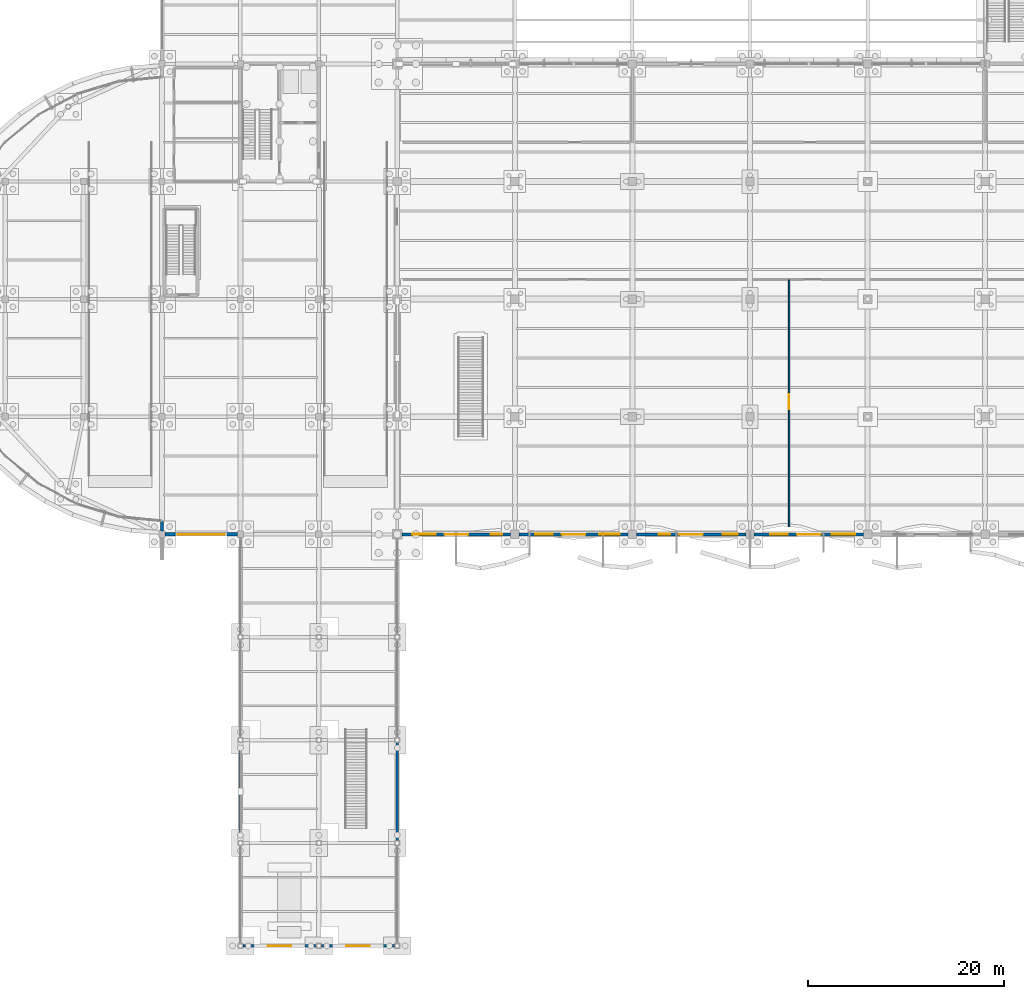
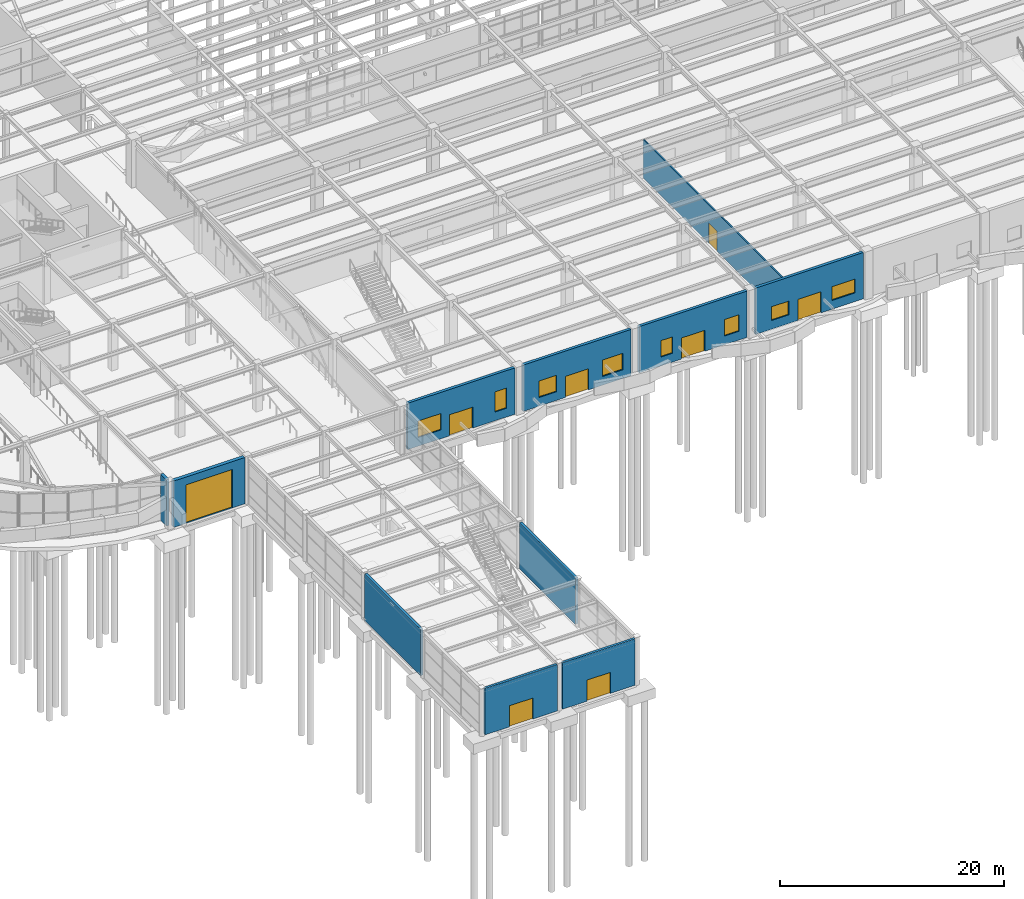
# One storey, part 62 of 85: 11 walls, 8 doors, 8 windows, 16 openings.
"""IFC4 building model written with IfcOpenShell, lengths in metres."""

import ifcopenshell
import ifcopenshell.guid

model = None  # the IFC model being written
_history = None  # IfcOwnerHistory: only IFC2X3 demands one
_inside = {}  # id of a spatial element -> (the spatial element, [elements in it])
_under = {}  # id of a project, library or spatial element -> (it, [spatial elements below it])
_declared = {}  # id of a project -> (the project, [libraries it declares])
_typed = {}  # id of a type object -> (the type object, [elements of that type])
_made_of = {}  # id of a material, layer set ... -> (it, [elements and type objects made of it])


def new_model(schema):
    """Start an empty IFC model of exactly this schema.

    Asked for "IFC4X3", IfcOpenShell would pick the latest addendum, in which some entities
    have other attributes; the version numbers below select the first issue.
    IFC2X3 requires an IfcOwnerHistory on every rooted entity: one is made here for all.
    """
    global model, _history
    if schema == "IFC4X3":
        model = ifcopenshell.file(schema_version=(4, 3, 0, 0))
    else:
        model = ifcopenshell.file(schema=schema)
    _inside.clear()
    _under.clear()
    _declared.clear()
    _typed.clear()
    _made_of.clear()
    _history = None
    if model.schema == "IFC2X3":
        org = make("IfcOrganization", Name="unknown")
        user = make(
            "IfcPersonAndOrganization",
            ThePerson=make("IfcPerson", FamilyName="unknown"),
            TheOrganization=org,
        )
        app = make(
            "IfcApplication",
            ApplicationDeveloper=org,
            Version="unknown",
            ApplicationFullName="unknown",
            ApplicationIdentifier="unknown",
        )
        _history = make(
            "IfcOwnerHistory",
            OwningUser=user,
            OwningApplication=app,
            ChangeAction="ADDED",
            CreationDate=0,
        )
    return model


def make(cls, **values):
    """One entity of the class cls with the attributes given. An attribute that is None is left unset."""
    return model.create_entity(
        cls, **{name: value for name, value in values.items() if value is not None}
    )


def rooted(cls, **values):
    """An entity with a GlobalId (a new one), such as an element, a storey or a relation."""
    return make(cls, GlobalId=ifcopenshell.guid.new(), OwnerHistory=_history, **values)


def si_unit(unit_type, name, prefix=None):
    """IfcSIUnit, for example si_unit("LENGTHUNIT", "METRE", prefix="MILLI")."""
    return make("IfcSIUnit", UnitType=unit_type, Prefix=prefix, Name=name)


def assignment(units):
    """IfcUnitAssignment: the units of a project."""
    return None if units is None else make("IfcUnitAssignment", Units=units)


def point(xyz):
    """IfcCartesianPoint."""
    return None if xyz is None else make("IfcCartesianPoint", Coordinates=xyz)


def direction(xyz):
    """IfcDirection."""
    return None if xyz is None else make("IfcDirection", DirectionRatios=xyz)


def frame(location, z_axis=None, x_axis=None):
    """IfcAxis2Placement3D, a coordinate frame: its origin and axes. An axis left out is left unset."""
    return make(
        "IfcAxis2Placement3D",
        Location=point(location),
        Axis=direction(z_axis),
        RefDirection=direction(x_axis),
    )


def frame_2d(location, x_axis=None):
    """IfcAxis2Placement2D, a coordinate frame in the plane: its origin and x axis."""
    return make(
        "IfcAxis2Placement2D", Location=point(location), RefDirection=direction(x_axis)
    )


def origin():
    """The frame at (0, 0, 0) with its axes left unset."""
    return frame((0.0, 0.0, 0.0))


def place(relative_to, where):
    """IfcLocalPlacement: puts the frame where relative to a parent placement (None: the world)."""
    return make(
        "IfcLocalPlacement", PlacementRelTo=relative_to, RelativePlacement=where
    )


def context(
    kind, dimensions, precision=None, world=None, true_north=None, identifier=None
):
    """IfcGeometricRepresentationContext, for example the 3D "Model" context."""
    return make(
        "IfcGeometricRepresentationContext",
        ContextIdentifier=identifier,
        ContextType=kind,
        CoordinateSpaceDimension=dimensions,
        Precision=precision,
        WorldCoordinateSystem=world,
        TrueNorth=true_north,
    )


def subcontext(parent, identifier, kind, view, scale=None):
    """IfcGeometricRepresentationSubContext, for example "Body" below "Model"."""
    return make(
        "IfcGeometricRepresentationSubContext",
        ContextIdentifier=identifier,
        ContextType=kind,
        ParentContext=parent,
        TargetScale=scale,
        TargetView=view,
    )


def project(units=None, contexts=None):
    """IfcProject with its units and contexts."""
    return rooted(
        "IfcProject",
        Name="project",
        RepresentationContexts=contexts,
        UnitsInContext=assignment(units),
    )


def spatial(cls, under=None, at=None, **own):
    """A site, building, storey or space (cls), placed at a placement, below another one or the project."""
    s = rooted(cls, ObjectPlacement=at, **own)
    if under is not None:
        _under.setdefault(under.id(), (under, []))[1].append(s)
    return s


def profile(cls, at=None, kind="AREA", **sizes):
    """A parametric profile (cls). Its sizes go by their IFC names, for example OverallWidth=200.0."""
    return make(cls, ProfileType=kind, Position=at, **sizes)


def rectangle(**sizes):
    """IfcRectangleProfileDef."""
    return profile("IfcRectangleProfileDef", **sizes)


def extrude(swept, where, along, depth):
    """IfcExtrudedAreaSolid: the profile swept, set in the frame where, extruded along a direction by depth."""
    return make(
        "IfcExtrudedAreaSolid",
        SweptArea=swept,
        Position=where,
        ExtrudedDirection=direction(along),
        Depth=depth,
    )


def shape(context_of_items, identifier, shape_type, items):
    """IfcShapeRepresentation: the items that make up one representation, for example the "Body"."""
    return make(
        "IfcShapeRepresentation",
        ContextOfItems=context_of_items,
        RepresentationIdentifier=identifier,
        RepresentationType=shape_type,
        Items=items,
    )


def material(Name=None, Category=None):
    """IfcMaterial."""
    return make("IfcMaterial", Name=Name, Category=Category)


def layer(
    of_material, thickness, ventilated=None, Name=None, Category=None, Priority=None
):
    """IfcMaterialLayer: one layer of a wall or slab, of a material (None: an air gap)."""
    return make(
        "IfcMaterialLayer",
        Material=of_material,
        LayerThickness=thickness,
        IsVentilated=ventilated,
        Name=Name,
        Category=Category,
        Priority=Priority,
    )


def layer_set(layers, Name=None):
    """IfcMaterialLayerSet."""
    return make("IfcMaterialLayerSet", MaterialLayers=layers, LayerSetName=Name)


def made_of(thing, what):
    """Note that an element or type object is made of a material, layer set ...; save() writes the relation."""
    if what is not None:
        _made_of.setdefault(what.id(), (what, []))[1].append(thing)
    return thing


def type_object(cls, material=None, **own):
    """A type object (cls), such as IfcWallType, which elements share."""
    return made_of(rooted(cls, **own), material)


def element(
    cls,
    number,
    at=None,
    inside=None,
    cuts=None,
    type_object=None,
    material=None,
    context=None,
    identifier="Body",
    shape_type=None,
    held_by="IfcProductDefinitionShape",
    body=None,
    shapes=None,
    **own,
):
    """One element of the class cls, such as IfcWall. Its Tag is "e" and its number.

    at: its placement. inside: the storey or other place that contains it. cuts: it is an
    opening in that element (IfcRelVoidsElement). A single representation is given by context,
    identifier, shape_type and body (its items); several are given by shapes. held_by: the class
    of the entity that holds the representations. save() writes the other relations.
    """
    e = rooted(cls, Tag="e%d" % number, ObjectPlacement=at, **own)
    if body is not None:
        shapes = [shape(context, identifier, shape_type, body)]
    if shapes is not None:
        e.Representation = make(held_by, Representations=shapes)
    if inside is not None:
        _inside.setdefault(inside.id(), (inside, []))[1].append(e)
    if cuts is not None:
        rooted(
            "IfcRelVoidsElement", RelatingBuildingElement=cuts, RelatedOpeningElement=e
        )
    if type_object is not None:
        _typed.setdefault(type_object.id(), (type_object, []))[1].append(e)
    return made_of(e, material)


def fill(opening, filler):
    """IfcRelFillsElement: the door or window that sits in an opening."""
    return rooted(
        "IfcRelFillsElement",
        RelatingOpeningElement=opening,
        RelatedBuildingElement=filler,
    )


def aggregate(whole, parts):
    """IfcRelAggregates: a whole, such as a stair, and the parts it consists of."""
    return rooted("IfcRelAggregates", RelatingObject=whole, RelatedObjects=parts)


def save(model, path):
    """Write the relations noted so far, then the file.

    IfcRelAggregates (storeys below a building ...), IfcRelContainedInSpatialStructure (elements
    in a storey), IfcRelDefinesByType, IfcRelAssociatesMaterial and IfcRelDeclares: one each for
    every whole, place, type object, material and project.
    """
    for whole, parts in _under.values():
        aggregate(whole, parts)
    for where, things in _inside.values():
        rooted(
            "IfcRelContainedInSpatialStructure",
            RelatedElements=things,
            RelatingStructure=where,
        )
    for kind, things in _typed.values():
        rooted("IfcRelDefinesByType", RelatedObjects=things, RelatingType=kind)
    for what, things in _made_of.values():
        rooted("IfcRelAssociatesMaterial", RelatedObjects=things, RelatingMaterial=what)
    for by, libraries in _declared.values():
        rooted("IfcRelDeclares", RelatingContext=by, RelatedDefinitions=libraries)
    model.write(path)


model = new_model("IFC4")

# Units and contexts
model_context = context("Model", 3, precision=1e-05, world=origin(), true_north=direction((0.0, 1.0)))
body_context = subcontext(model_context, "Body", "Model", "MODEL_VIEW")
ifc_project = project(units=[si_unit("LENGTHUNIT", "METRE"), si_unit("AREAUNIT", "SQUARE_METRE"), si_unit("VOLUMEUNIT", "CUBIC_METRE"), si_unit("PLANEANGLEUNIT", "RADIAN"), si_unit("MASSUNIT", "GRAM", prefix="KILO")], contexts=[model_context])

# Site, building, storey
site_placement = place(None, origin())
site = spatial("IfcSite", under=ifc_project, at=site_placement, CompositionType="ELEMENT")
building_placement = place(site_placement, origin())
building = spatial("IfcBuilding", under=site, at=building_placement, Name="Keelwater Ferry Terminal", CompositionType="ELEMENT")
storey_placement = place(building_placement, origin())
storey = spatial("IfcBuildingStorey", under=building, at=storey_placement, Name="L00", CompositionType="ELEMENT", Elevation=0.0)

# Walls
ifc_material_1 = material(Name="Precast concrete C40/50", Category="concrete")
ifc_layer_1 = layer(ifc_material_1, 0.260009765625)
ifc_layer_set_1 = layer_set([ifc_layer_1], Name="Precast concrete C40/50")
wall_type_1 = type_object("IfcWallType", Name="EW-BR260 External Solid Wall 260", PredefinedType="SOLIDWALL", material=ifc_layer_set_1)
for number, where, z_axis, x_axis, name in (
    (1, (32.0, 10.75390625, 0.0), (0.0, 0.0, 1.0), (0.0, 1.0, 0.0), "External Wall WL-L00-0001"),
    (2, (48.0, 10.75390625, 0.0), (0.0, 0.0, 1.0), (0.0, 1.0, 0.0), "External Wall WL-L00-0003"),
):
    element("IfcWall", number, at=place(storey_placement, frame(where, z_axis=z_axis, x_axis=x_axis)), inside=storey, type_object=wall_type_1, Name=name, PredefinedType="SOLIDWALL", context=body_context, shape_type="SweptSolid", body=[
        extrude(rectangle(XDim=9.9921875, YDim=0.260009765625, at=frame_2d((4.99609375, 0.0))), origin(), (0.0, 0.0, 1.0), 5.06005859375),
    ])

# Wall, opening, door
wall_1_placement = place(storey_placement, frame((39.74609375, 0.0, 0.0), z_axis=(0.0, 0.0, 1.0), x_axis=(-1.0, 0.0, 0.0)))
wall_1 = element("IfcWall", 3, at=wall_1_placement, inside=storey, type_object=wall_type_1, Name="External Wall WL-L00-0009", PredefinedType="SOLIDWALL", context=body_context, shape_type="SweptSolid", body=[
    extrude(rectangle(XDim=7.4921875, YDim=0.260009765625, at=frame_2d((3.74609375, 0.0))), origin(), (0.0, 0.0, 1.0), 5.06005859375),
])
opening_1_placement = place(wall_1_placement, frame((2.5458984375, 0.0, 0.0)))
opening_1 = element("IfcOpeningElement", 4, at=opening_1_placement, cuts=wall_1, Name="Opening ED-01", PredefinedType="OPENING", context=body_context, shape_type="SweptSolid", body=[
    extrude(rectangle(XDim=2.39990234375, YDim=2.300048828125, at=frame_2d((1.199951171875, 1.14990234375))), frame((0.0, 0.139892578125, 0.0), z_axis=(0.0, -1.0, 0.0), x_axis=(1.0, 0.0, 0.0)), (0.0, 0.0, 1.0), 0.280029296875),
])
ifc_material_2 = material(Name="Anodised aluminium and laminated safety glass", Category="aluminium")
door_type_1 = type_object("IfcDoorType", Name="ED-T1 Pedestrian Door 2400x2300", OperationType="DOUBLE_DOOR_SINGLE_SWING", PredefinedType="DOOR", material=ifc_material_2)
door_1_placement = place(opening_1_placement, origin())
door_1 = element("IfcDoor", 5, at=door_1_placement, inside=storey, type_object=door_type_1, Name="Door ED-01", OperationType="DOUBLE_DOOR_SINGLE_SWING", OverallHeight=2.300048828125, OverallWidth=2.39990234375, PredefinedType="DOOR", context=body_context, shape_type="SweptSolid", body=[
    extrude(rectangle(XDim=2.39990234375, YDim=2.300048828125, at=frame_2d((1.199951171875, 1.14990234375))), frame((0.0, 0.02490234375, 0.0), z_axis=(0.0, -1.0, 0.0), x_axis=(1.0, 0.0, 0.0)), (0.0, 0.0, 1.0), 0.050048828125),
])
fill(opening_1, door_1)

wall_2_placement = place(storey_placement, frame((47.74609375, 0.0, 0.0), z_axis=(0.0, 0.0, 1.0), x_axis=(-1.0, 0.0, 0.0)))
wall_2 = element("IfcWall", 6, at=wall_2_placement, inside=storey, type_object=wall_type_1, Name="External Wall WL-L00-0011", PredefinedType="SOLIDWALL", context=body_context, shape_type="SweptSolid", body=[
    extrude(rectangle(XDim=7.4921875, YDim=0.260009765625, at=frame_2d((3.74609375, 0.0))), origin(), (0.0, 0.0, 1.0), 5.06005859375),
])
opening_2_placement = place(wall_2_placement, frame((2.5458984375, 0.0, 0.0)))
opening_2 = element("IfcOpeningElement", 7, at=opening_2_placement, cuts=wall_2, Name="Opening ED-02", PredefinedType="OPENING", context=body_context, shape_type="SweptSolid", body=[
    extrude(rectangle(XDim=2.39990234375, YDim=2.300048828125, at=frame_2d((1.199951171875, 1.14990234375))), frame((0.0, 0.139892578125, 0.0), z_axis=(0.0, -1.0, 0.0), x_axis=(1.0, 0.0, 0.0)), (0.0, 0.0, 1.0), 0.280029296875),
])
door_2_placement = place(opening_2_placement, origin())
door_2 = element("IfcDoor", 8, at=door_2_placement, inside=storey, type_object=door_type_1, Name="Door ED-02", OperationType="DOUBLE_DOOR_SINGLE_SWING", OverallHeight=2.300048828125, OverallWidth=2.39990234375, PredefinedType="DOOR", context=body_context, shape_type="SweptSolid", body=[
    extrude(rectangle(XDim=2.39990234375, YDim=2.300048828125, at=frame_2d((1.199951171875, 1.14990234375))), frame((0.0, 0.02490234375, 0.0), z_axis=(0.0, -1.0, 0.0), x_axis=(1.0, 0.0, 0.0)), (0.0, 0.0, 1.0), 0.050048828125),
])
fill(opening_2, door_2)

# Wall
ifc_material_3 = material(Name="Precast concrete C40/50", Category="concrete")
ifc_layer_2 = layer(ifc_material_3, 0.300048828125)
ifc_layer_set_2 = layer_set([ifc_layer_2], Name="Precast concrete C40/50")
wall_type_2 = type_object("IfcWallType", Name="EW-PC300 External Solid Wall 300", PredefinedType="SOLIDWALL", material=ifc_layer_set_2)
wall_3_placement = place(storey_placement, frame((24.0, 43.35009765625, 0.0), z_axis=(0.0, 0.0, 1.0), x_axis=(0.0, -1.0, 0.0)))
element("IfcWall", 9, at=wall_3_placement, inside=storey, type_object=wall_type_2, Name="External Wall WL-L00-0018", PredefinedType="SOLIDWALL", context=body_context, shape_type="SweptSolid", body=[
    extrude(rectangle(XDim=1.025146484375, YDim=0.300048828125, at=frame_2d((0.5126953125, 0.0))), origin(), (0.0, 0.0, 1.0), 5.06005859375),
])

# Wall, openings, door, windows
wall_4_placement = place(storey_placement, frame((59.574951171875, 42.0, 0.0), z_axis=(0.0, 0.0, 1.0), x_axis=(-1.0, 0.0, 0.0)))
wall_4 = element("IfcWall", 10, at=wall_4_placement, inside=storey, type_object=wall_type_2, Name="External Wall WL-L00-0035", PredefinedType="SOLIDWALL", context=body_context, shape_type="SweptSolid", body=[
    extrude(rectangle(XDim=11.074951171875, YDim=0.300048828125, at=frame_2d((5.53759765625, 0.0))), origin(), (0.0, 0.0, 1.0), 5.06005859375),
])
opening_3_placement = place(wall_4_placement, frame((4.337890625, 0.0, 0.0)))
opening_3 = element("IfcOpeningElement", 11, at=opening_3_placement, cuts=wall_4, Name="Opening ED-05", PredefinedType="OPENING", context=body_context, shape_type="SweptSolid", body=[
    extrude(rectangle(XDim=2.39990234375, YDim=2.300048828125, at=frame_2d((1.199951171875, 1.14990234375))), frame((0.0, 0.159912109375, 0.0), z_axis=(0.0, -1.0, 0.0), x_axis=(1.0, 0.0, 0.0)), (0.0, 0.0, 1.0), 0.320068359375),
])
opening_4_placement = place(wall_4_placement, frame((0.85009765625, 0.0, 0.949951171875)))
opening_4 = element("IfcOpeningElement", 12, at=opening_4_placement, cuts=wall_4, Name="Opening WN-05", PredefinedType="OPENING", context=body_context, shape_type="SweptSolid", body=[
    extrude(rectangle(XDim=1.199951171875, YDim=2.199951171875, at=frame_2d((0.60009765625, 1.10009765625))), frame((0.0, 0.159912109375, 0.0), z_axis=(0.0, -1.0, 0.0), x_axis=(1.0, 0.0, 0.0)), (0.0, 0.0, 1.0), 0.320068359375),
])
opening_5_placement = place(wall_4_placement, frame((7.625, 0.0, 0.949951171875)))
opening_5 = element("IfcOpeningElement", 13, at=opening_5_placement, cuts=wall_4, Name="Opening WN-06", PredefinedType="OPENING", context=body_context, shape_type="SweptSolid", body=[
    extrude(rectangle(XDim=2.39990234375, YDim=1.800048828125, at=frame_2d((1.199951171875, 0.89990234375))), frame((0.0, 0.159912109375, 0.0), z_axis=(0.0, -1.0, 0.0), x_axis=(1.0, 0.0, 0.0)), (0.0, 0.0, 1.0), 0.320068359375),
])
door_3_placement = place(opening_3_placement, origin())
door_3 = element("IfcDoor", 14, at=door_3_placement, inside=storey, type_object=door_type_1, Name="Door ED-05", OperationType="DOUBLE_DOOR_SINGLE_SWING", OverallHeight=2.300048828125, OverallWidth=2.39990234375, PredefinedType="DOOR", context=body_context, shape_type="SweptSolid", body=[
    extrude(rectangle(XDim=2.39990234375, YDim=2.300048828125, at=frame_2d((1.199951171875, 1.14990234375))), frame((0.0, 0.02490234375, 0.0), z_axis=(0.0, -1.0, 0.0), x_axis=(1.0, 0.0, 0.0)), (0.0, 0.0, 1.0), 0.050048828125),
])
fill(opening_3, door_3)
ifc_material_4 = material(Name="Triple low-E glass in thermally broken aluminium frame", Category="aluminium")
window_type_1 = type_object("IfcWindowType", Name="WN-05 Exterior Window 1200x2200", PartitioningType="SINGLE_PANEL", PredefinedType="WINDOW", material=ifc_material_4)
window_1_placement = place(opening_4_placement, origin())
window_1 = element("IfcWindow", 15, at=window_1_placement, inside=storey, type_object=window_type_1, Name="Window WN-L00-0005", OverallHeight=2.199951171875, OverallWidth=1.199951171875, PartitioningType="SINGLE_PANEL", PredefinedType="WINDOW", context=body_context, shape_type="SweptSolid", body=[
    extrude(rectangle(XDim=1.199951171875, YDim=2.199951171875, at=frame_2d((0.60009765625, 1.10009765625))), frame((0.0, 0.030029296875, 0.0), z_axis=(0.0, -1.0, 0.0), x_axis=(1.0, 0.0, 0.0)), (0.0, 0.0, 1.0), 0.06005859375),
])
fill(opening_4, window_1)
ifc_material_5 = material(Name="Triple low-E glass in thermally broken aluminium frame", Category="aluminium")
window_type_2 = type_object("IfcWindowType", Name="WN-06 Exterior Window 2400x1800", PartitioningType="SINGLE_PANEL", PredefinedType="WINDOW", material=ifc_material_5)
window_2_placement = place(opening_5_placement, origin())
window_2 = element("IfcWindow", 16, at=window_2_placement, inside=storey, type_object=window_type_2, Name="Window WN-L00-0006", OverallHeight=1.800048828125, OverallWidth=2.39990234375, PartitioningType="SINGLE_PANEL", PredefinedType="WINDOW", context=body_context, shape_type="SweptSolid", body=[
    extrude(rectangle(XDim=2.39990234375, YDim=1.800048828125, at=frame_2d((1.199951171875, 0.89990234375))), frame((0.0, 0.030029296875, 0.0), z_axis=(0.0, -1.0, 0.0), x_axis=(1.0, 0.0, 0.0)), (0.0, 0.0, 1.0), 0.06005859375),
])
fill(opening_5, window_2)

wall_5_placement = place(storey_placement, frame((71.574951171875, 42.0, 0.0), z_axis=(0.0, 0.0, 1.0), x_axis=(-1.0, 0.0, 0.0)))
wall_5 = element("IfcWall", 17, at=wall_5_placement, inside=storey, type_object=wall_type_2, Name="External Wall WL-L00-0036", PredefinedType="SOLIDWALL", context=body_context, shape_type="SweptSolid", body=[
    extrude(rectangle(XDim=11.14990234375, YDim=0.300048828125, at=frame_2d((5.574951171875, 0.0))), origin(), (0.0, 0.0, 1.0), 5.06005859375),
])
opening_6_placement = place(wall_5_placement, frame((4.375, 0.0, 0.0)))
opening_6 = element("IfcOpeningElement", 18, at=opening_6_placement, cuts=wall_5, Name="Opening ED-06", PredefinedType="OPENING", context=body_context, shape_type="SweptSolid", body=[
    extrude(rectangle(XDim=2.39990234375, YDim=2.300048828125, at=frame_2d((1.199951171875, 1.14990234375))), frame((0.0, 0.159912109375, 0.0), z_axis=(0.0, -1.0, 0.0), x_axis=(1.0, 0.0, 0.0)), (0.0, 0.0, 1.0), 0.320068359375),
])
opening_7_placement = place(wall_5_placement, frame((0.85009765625, 0.0, 0.949951171875)))
opening_7 = element("IfcOpeningElement", 19, at=opening_7_placement, cuts=wall_5, Name="Opening WN-07", PredefinedType="OPENING", context=body_context, shape_type="SweptSolid", body=[
    extrude(rectangle(XDim=2.10009765625, YDim=1.800048828125, at=frame_2d((1.050048828125, 0.89990234375))), frame((0.0, 0.159912109375, 0.0), z_axis=(0.0, -1.0, 0.0), x_axis=(1.0, 0.0, 0.0)), (0.0, 0.0, 1.0), 0.320068359375),
])
opening_8_placement = place(wall_5_placement, frame((7.699951171875, 0.0, 0.949951171875)))
opening_8 = element("IfcOpeningElement", 20, at=opening_8_placement, cuts=wall_5, Name="Opening WN-08", PredefinedType="OPENING", context=body_context, shape_type="SweptSolid", body=[
    extrude(rectangle(XDim=1.800048828125, YDim=1.800048828125, at=frame_2d((0.89990234375, 0.89990234375))), frame((0.0, 0.159912109375, 0.0), z_axis=(0.0, -1.0, 0.0), x_axis=(1.0, 0.0, 0.0)), (0.0, 0.0, 1.0), 0.320068359375),
])
door_4_placement = place(opening_6_placement, origin())
door_4 = element("IfcDoor", 21, at=door_4_placement, inside=storey, type_object=door_type_1, Name="Door ED-06", OperationType="DOUBLE_DOOR_SINGLE_SWING", OverallHeight=2.300048828125, OverallWidth=2.39990234375, PredefinedType="DOOR", context=body_context, shape_type="SweptSolid", body=[
    extrude(rectangle(XDim=2.39990234375, YDim=2.300048828125, at=frame_2d((1.199951171875, 1.14990234375))), frame((0.0, 0.02490234375, 0.0), z_axis=(0.0, -1.0, 0.0), x_axis=(1.0, 0.0, 0.0)), (0.0, 0.0, 1.0), 0.050048828125),
])
fill(opening_6, door_4)
ifc_material_6 = material(Name="Triple low-E glass in thermally broken aluminium frame", Category="aluminium")
window_type_3 = type_object("IfcWindowType", Name="WN-07 Exterior Window 2100x1800", PartitioningType="SINGLE_PANEL", PredefinedType="WINDOW", material=ifc_material_6)
window_3_placement = place(opening_7_placement, origin())
window_3 = element("IfcWindow", 22, at=window_3_placement, inside=storey, type_object=window_type_3, Name="Window WN-L00-0007", OverallHeight=1.800048828125, OverallWidth=2.10009765625, PartitioningType="SINGLE_PANEL", PredefinedType="WINDOW", context=body_context, shape_type="SweptSolid", body=[
    extrude(rectangle(XDim=2.10009765625, YDim=1.800048828125, at=frame_2d((1.050048828125, 0.89990234375))), frame((0.0, 0.030029296875, 0.0), z_axis=(0.0, -1.0, 0.0), x_axis=(1.0, 0.0, 0.0)), (0.0, 0.0, 1.0), 0.06005859375),
])
fill(opening_7, window_3)
ifc_material_7 = material(Name="Triple low-E glass in thermally broken aluminium frame", Category="aluminium")
window_type_4 = type_object("IfcWindowType", Name="WN-08 Exterior Window 1800x1800", PartitioningType="SINGLE_PANEL", PredefinedType="WINDOW", material=ifc_material_7)
window_4_placement = place(opening_8_placement, origin())
window_4 = element("IfcWindow", 23, at=window_4_placement, inside=storey, type_object=window_type_4, Name="Window WN-L00-0008", OverallHeight=1.800048828125, OverallWidth=1.800048828125, PartitioningType="SINGLE_PANEL", PredefinedType="WINDOW", context=body_context, shape_type="SweptSolid", body=[
    extrude(rectangle(XDim=1.800048828125, YDim=1.800048828125, at=frame_2d((0.89990234375, 0.89990234375))), frame((0.0, 0.030029296875, 0.0), z_axis=(0.0, -1.0, 0.0), x_axis=(1.0, 0.0, 0.0)), (0.0, 0.0, 1.0), 0.06005859375),
])
fill(opening_8, window_4)

wall_6_placement = place(storey_placement, frame((83.574951171875, 42.0, 0.0), z_axis=(0.0, 0.0, 1.0), x_axis=(-1.0, 0.0, 0.0)))
wall_6 = element("IfcWall", 24, at=wall_6_placement, inside=storey, type_object=wall_type_2, Name="External Wall WL-L00-0037", PredefinedType="SOLIDWALL", context=body_context, shape_type="SweptSolid", body=[
    extrude(rectangle(XDim=11.14990234375, YDim=0.300048828125, at=frame_2d((5.574951171875, 0.0))), origin(), (0.0, 0.0, 1.0), 5.06005859375),
])
opening_9_placement = place(wall_6_placement, frame((4.375, 0.0, 0.0)))
opening_9 = element("IfcOpeningElement", 25, at=opening_9_placement, cuts=wall_6, Name="Opening ED-07", PredefinedType="OPENING", context=body_context, shape_type="SweptSolid", body=[
    extrude(rectangle(XDim=2.39990234375, YDim=2.300048828125, at=frame_2d((1.199951171875, 1.14990234375))), frame((0.0, 0.159912109375, 0.0), z_axis=(0.0, -1.0, 0.0), x_axis=(1.0, 0.0, 0.0)), (0.0, 0.0, 1.0), 0.320068359375),
])
opening_10_placement = place(wall_6_placement, frame((0.85009765625, 0.0, 0.949951171875)))
opening_10 = element("IfcOpeningElement", 26, at=opening_10_placement, cuts=wall_6, Name="Opening WN-09", PredefinedType="OPENING", context=body_context, shape_type="SweptSolid", body=[
    extrude(rectangle(XDim=1.5, YDim=1.800048828125, at=frame_2d((0.75, 0.89990234375))), frame((0.0, 0.159912109375, 0.0), z_axis=(0.0, -1.0, 0.0), x_axis=(1.0, 0.0, 0.0)), (0.0, 0.0, 1.0), 0.320068359375),
])
opening_11_placement = place(wall_6_placement, frame((7.699951171875, 0.0, 0.949951171875)))
opening_11 = element("IfcOpeningElement", 27, at=opening_11_placement, cuts=wall_6, Name="Opening WN-10", PredefinedType="OPENING", context=body_context, shape_type="SweptSolid", body=[
    extrude(rectangle(XDim=1.199951171875, YDim=1.800048828125, at=frame_2d((0.60009765625, 0.89990234375))), frame((0.0, 0.159912109375, 0.0), z_axis=(0.0, -1.0, 0.0), x_axis=(1.0, 0.0, 0.0)), (0.0, 0.0, 1.0), 0.320068359375),
])
door_5_placement = place(opening_9_placement, origin())
door_5 = element("IfcDoor", 28, at=door_5_placement, inside=storey, type_object=door_type_1, Name="Door ED-07", OperationType="DOUBLE_DOOR_SINGLE_SWING", OverallHeight=2.300048828125, OverallWidth=2.39990234375, PredefinedType="DOOR", context=body_context, shape_type="SweptSolid", body=[
    extrude(rectangle(XDim=2.39990234375, YDim=2.300048828125, at=frame_2d((1.199951171875, 1.14990234375))), frame((0.0, 0.02490234375, 0.0), z_axis=(0.0, -1.0, 0.0), x_axis=(1.0, 0.0, 0.0)), (0.0, 0.0, 1.0), 0.050048828125),
])
fill(opening_9, door_5)
ifc_material_8 = material(Name="Triple low-E glass in thermally broken aluminium frame", Category="aluminium")
window_type_5 = type_object("IfcWindowType", Name="WN-09 Exterior Window 1500x1800", PartitioningType="SINGLE_PANEL", PredefinedType="WINDOW", material=ifc_material_8)
window_5_placement = place(opening_10_placement, origin())
window_5 = element("IfcWindow", 29, at=window_5_placement, inside=storey, type_object=window_type_5, Name="Window WN-L00-0009", OverallHeight=1.800048828125, OverallWidth=1.5, PartitioningType="SINGLE_PANEL", PredefinedType="WINDOW", context=body_context, shape_type="SweptSolid", body=[
    extrude(rectangle(XDim=1.5, YDim=1.800048828125, at=frame_2d((0.75, 0.89990234375))), frame((0.0, 0.030029296875, 0.0), z_axis=(0.0, -1.0, 0.0), x_axis=(1.0, 0.0, 0.0)), (0.0, 0.0, 1.0), 0.06005859375),
])
fill(opening_10, window_5)
ifc_material_9 = material(Name="Triple low-E glass in thermally broken aluminium frame", Category="aluminium")
window_type_6 = type_object("IfcWindowType", Name="WN-10 Exterior Window 1200x1800", PartitioningType="SINGLE_PANEL", PredefinedType="WINDOW", material=ifc_material_9)
window_6_placement = place(opening_11_placement, origin())
window_6 = element("IfcWindow", 30, at=window_6_placement, inside=storey, type_object=window_type_6, Name="Window WN-L00-0010", OverallHeight=1.800048828125, OverallWidth=1.199951171875, PartitioningType="SINGLE_PANEL", PredefinedType="WINDOW", context=body_context, shape_type="SweptSolid", body=[
    extrude(rectangle(XDim=1.199951171875, YDim=1.800048828125, at=frame_2d((0.60009765625, 0.89990234375))), frame((0.0, 0.030029296875, 0.0), z_axis=(0.0, -1.0, 0.0), x_axis=(1.0, 0.0, 0.0)), (0.0, 0.0, 1.0), 0.06005859375),
])
fill(opening_11, window_6)

wall_7_placement = place(storey_placement, frame((95.574951171875, 42.0, 0.0), z_axis=(0.0, 0.0, 1.0), x_axis=(-1.0, 0.0, 0.0)))
wall_7 = element("IfcWall", 31, at=wall_7_placement, inside=storey, type_object=wall_type_2, Name="External Wall WL-L00-0038", PredefinedType="SOLIDWALL", context=body_context, shape_type="SweptSolid", body=[
    extrude(rectangle(XDim=11.14990234375, YDim=0.300048828125, at=frame_2d((5.574951171875, 0.0))), origin(), (0.0, 0.0, 1.0), 5.06005859375),
])
opening_12_placement = place(wall_7_placement, frame((4.375, 0.0, 0.0)))
opening_12 = element("IfcOpeningElement", 32, at=opening_12_placement, cuts=wall_7, Name="Opening ED-08", PredefinedType="OPENING", context=body_context, shape_type="SweptSolid", body=[
    extrude(rectangle(XDim=2.39990234375, YDim=2.300048828125, at=frame_2d((1.199951171875, 1.14990234375))), frame((0.0, 0.159912109375, 0.0), z_axis=(0.0, -1.0, 0.0), x_axis=(1.0, 0.0, 0.0)), (0.0, 0.0, 1.0), 0.320068359375),
])
opening_13_placement = place(wall_7_placement, frame((0.85009765625, 0.0, 0.949951171875)))
opening_13 = element("IfcOpeningElement", 33, at=opening_13_placement, cuts=wall_7, Name="Opening WN-11", PredefinedType="OPENING", context=body_context, shape_type="SweptSolid", body=[
    extrude(rectangle(XDim=2.39990234375, YDim=1.5, at=frame_2d((1.199951171875, 0.75))), frame((0.0, 0.159912109375, 0.0), z_axis=(0.0, -1.0, 0.0), x_axis=(1.0, 0.0, 0.0)), (0.0, 0.0, 1.0), 0.320068359375),
])
opening_14_placement = place(wall_7_placement, frame((7.699951171875, 0.0, 0.949951171875)))
opening_14 = element("IfcOpeningElement", 34, at=opening_14_placement, cuts=wall_7, Name="Opening WN-12", PredefinedType="OPENING", context=body_context, shape_type="SweptSolid", body=[
    extrude(rectangle(XDim=1.800048828125, YDim=1.5, at=frame_2d((0.89990234375, 0.75))), frame((0.0, 0.159912109375, 0.0), z_axis=(0.0, -1.0, 0.0), x_axis=(1.0, 0.0, 0.0)), (0.0, 0.0, 1.0), 0.320068359375),
])
door_6_placement = place(opening_12_placement, origin())
door_6 = element("IfcDoor", 35, at=door_6_placement, inside=storey, type_object=door_type_1, Name="Door ED-08", OperationType="DOUBLE_DOOR_SINGLE_SWING", OverallHeight=2.300048828125, OverallWidth=2.39990234375, PredefinedType="DOOR", context=body_context, shape_type="SweptSolid", body=[
    extrude(rectangle(XDim=2.39990234375, YDim=2.300048828125, at=frame_2d((1.199951171875, 1.14990234375))), frame((0.0, 0.02490234375, 0.0), z_axis=(0.0, -1.0, 0.0), x_axis=(1.0, 0.0, 0.0)), (0.0, 0.0, 1.0), 0.050048828125),
])
fill(opening_12, door_6)
ifc_material_10 = material(Name="Triple low-E glass in thermally broken aluminium frame", Category="aluminium")
window_type_7 = type_object("IfcWindowType", Name="WN-11 Exterior Window 2400x1500", PartitioningType="SINGLE_PANEL", PredefinedType="WINDOW", material=ifc_material_10)
window_7_placement = place(opening_13_placement, origin())
window_7 = element("IfcWindow", 36, at=window_7_placement, inside=storey, type_object=window_type_7, Name="Window WN-L00-0011", OverallHeight=1.5, OverallWidth=2.39990234375, PartitioningType="SINGLE_PANEL", PredefinedType="WINDOW", context=body_context, shape_type="SweptSolid", body=[
    extrude(rectangle(XDim=2.39990234375, YDim=1.5, at=frame_2d((1.199951171875, 0.75))), frame((0.0, 0.030029296875, 0.0), z_axis=(0.0, -1.0, 0.0), x_axis=(1.0, 0.0, 0.0)), (0.0, 0.0, 1.0), 0.06005859375),
])
fill(opening_13, window_7)
ifc_material_11 = material(Name="Triple low-E glass in thermally broken aluminium frame", Category="aluminium")
window_type_8 = type_object("IfcWindowType", Name="WN-12 Exterior Window 1800x1500", PartitioningType="SINGLE_PANEL", PredefinedType="WINDOW", material=ifc_material_11)
window_8_placement = place(opening_14_placement, origin())
window_8 = element("IfcWindow", 37, at=window_8_placement, inside=storey, type_object=window_type_8, Name="Window WN-L00-0012", OverallHeight=1.5, OverallWidth=1.800048828125, PartitioningType="SINGLE_PANEL", PredefinedType="WINDOW", context=body_context, shape_type="SweptSolid", body=[
    extrude(rectangle(XDim=1.800048828125, YDim=1.5, at=frame_2d((0.89990234375, 0.75))), frame((0.0, 0.030029296875, 0.0), z_axis=(0.0, -1.0, 0.0), x_axis=(1.0, 0.0, 0.0)), (0.0, 0.0, 1.0), 0.06005859375),
])
fill(opening_14, window_8)

# Wall, opening, door
ifc_material_12 = material(Name="Concrete C45/55", Category="concrete")
ifc_layer_3 = layer(ifc_material_12, 0.360107421875)
ifc_layer_set_3 = layer_set([ifc_layer_3], Name="Concrete C45/55")
wall_type_3 = type_object("IfcWallType", Name="EW-VH360 External Solid Wall 360", PredefinedType="SOLIDWALL", material=ifc_layer_set_3)
wall_8_placement = place(storey_placement, frame((31.675048828125, 42.0, 0.0), z_axis=(0.0, 0.0, 1.0), x_axis=(-1.0, 0.0, 0.0)))
wall_8 = element("IfcWall", 38, at=wall_8_placement, inside=storey, type_object=wall_type_3, Name="External Wall WL-L00-0034", PredefinedType="SOLIDWALL", context=body_context, shape_type="SweptSolid", body=[
    extrude(rectangle(XDim=7.35009765625, YDim=0.360107421875, at=frame_2d((3.675048828125, 0.0))), origin(), (0.0, 0.0, 1.0), 5.06005859375),
])
opening_15_placement = place(wall_8_placement, frame((1.27490234375, 0.0, 0.0)))
opening_15 = element("IfcOpeningElement", 39, at=opening_15_placement, cuts=wall_8, Name="Opening VG-06", PredefinedType="OPENING", context=body_context, shape_type="SweptSolid", body=[
    extrude(rectangle(XDim=4.800048828125, YDim=4.199951171875, at=frame_2d((2.39990234375, 2.10009765625))), frame((0.0, 0.190185546875, 0.0), z_axis=(0.0, -1.0, 0.0), x_axis=(1.0, 0.0, 0.0)), (0.0, 0.0, 1.0), 0.380126953125),
])
ifc_material_13 = material(Name="Marine-grade steel roller shutter", Category="steel")
door_type_2 = type_object("IfcDoorType", Name="VG-T3 Vehicle Shutter Gate 4800x4200", OperationType="ROLLINGUP", PredefinedType="GATE", material=ifc_material_13)
door_7_placement = place(opening_15_placement, origin())
door_7 = element("IfcDoor", 40, at=door_7_placement, inside=storey, type_object=door_type_2, Name="Door VG-06", OperationType="ROLLINGUP", OverallHeight=4.199951171875, OverallWidth=4.800048828125, PredefinedType="GATE", context=body_context, shape_type="SweptSolid", body=[
    extrude(rectangle(XDim=4.800048828125, YDim=4.199951171875, at=frame_2d((2.39990234375, 2.10009765625))), frame((0.0, 0.02490234375, 0.0), z_axis=(0.0, -1.0, 0.0), x_axis=(1.0, 0.0, 0.0)), (0.0, 0.0, 1.0), 0.050048828125),
])
fill(opening_15, door_7)

ifc_material_14 = material(Name="Gypsum board on acoustic steel stud", Category="steel")
ifc_layer_4 = layer(ifc_material_14, 0.14990234375)
ifc_layer_set_4 = layer_set([ifc_layer_4], Name="Gypsum board on acoustic steel stud")
wall_type_4 = type_object("IfcWallType", Name="PT-150 Partition Wall 150", PredefinedType="PARTITIONING", material=ifc_layer_set_4)
wall_9_placement = place(storey_placement, frame((88.0, 42.77587890625, 0.0), z_axis=(0.0, 0.0, 1.0), x_axis=(0.0, 1.0, 0.0)))
wall_9 = element("IfcWall", 41, at=wall_9_placement, inside=storey, type_object=wall_type_4, Name="Interior Wall WL-INT-L00-0227", PredefinedType="PARTITIONING", context=body_context, shape_type="SweptSolid", body=[
    extrude(rectangle(XDim=25.22412109375, YDim=0.14990234375, at=frame_2d((12.612060546875, 0.0))), origin(), (0.0, 0.0, 1.0), 4.199951171875),
])
opening_16_placement = place(wall_9_placement, frame((12.0, 0.0, 0.0)))
opening_16 = element("IfcOpeningElement", 42, at=opening_16_placement, cuts=wall_9, Name="Opening DR-003", PredefinedType="OPENING", context=body_context, shape_type="SweptSolid", body=[
    extrude(rectangle(XDim=1.5, YDim=2.199951171875, at=frame_2d((0.75, 1.10009765625))), frame((0.0, 0.0849609375, 0.0), z_axis=(0.0, -1.0, 0.0), x_axis=(1.0, 0.0, 0.0)), (0.0, 0.0, 1.0), 0.169921875),
])
ifc_material_15 = material(Name="Acoustic oak and fire-rated steel frame door", Category="steel")
door_type_3 = type_object("IfcDoorType", Name="ID-02 Pedestrian Door 1500x2200", OperationType="DOUBLE_DOOR_SINGLE_SWING", PredefinedType="DOOR", material=ifc_material_15)
door_8_placement = place(opening_16_placement, origin())
door_8 = element("IfcDoor", 43, at=door_8_placement, inside=storey, type_object=door_type_3, Name="Door DR-003", OperationType="DOUBLE_DOOR_SINGLE_SWING", OverallHeight=2.199951171875, OverallWidth=1.5, PredefinedType="DOOR", context=body_context, shape_type="SweptSolid", body=[
    extrude(rectangle(XDim=1.5, YDim=2.199951171875, at=frame_2d((0.75, 1.10009765625))), frame((0.0, 0.02490234375, 0.0), z_axis=(0.0, -1.0, 0.0), x_axis=(1.0, 0.0, 0.0)), (0.0, 0.0, 1.0), 0.050048828125),
])
fill(opening_16, door_8)

save(model, "model.ifc")
